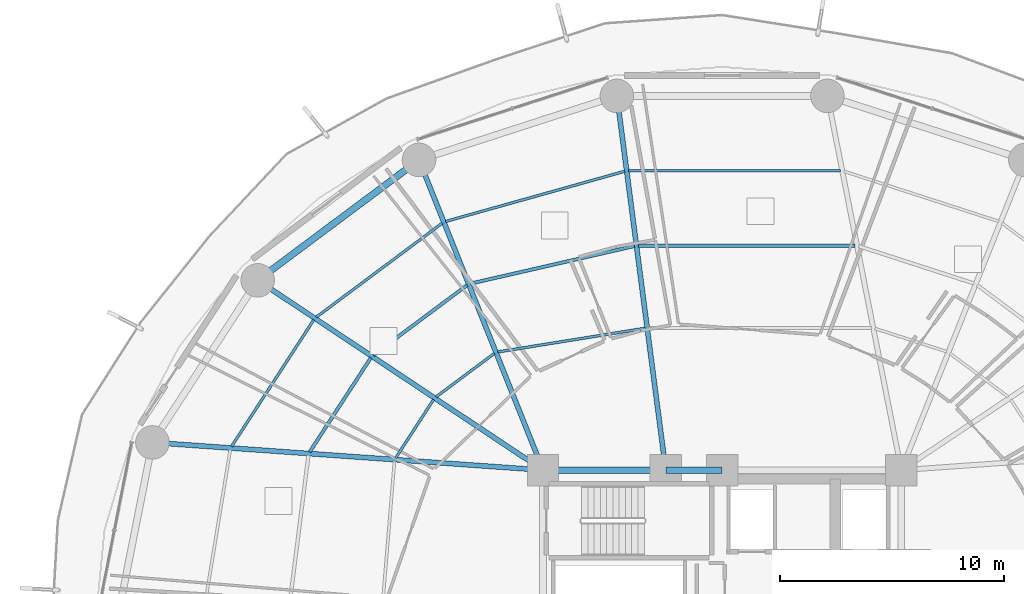
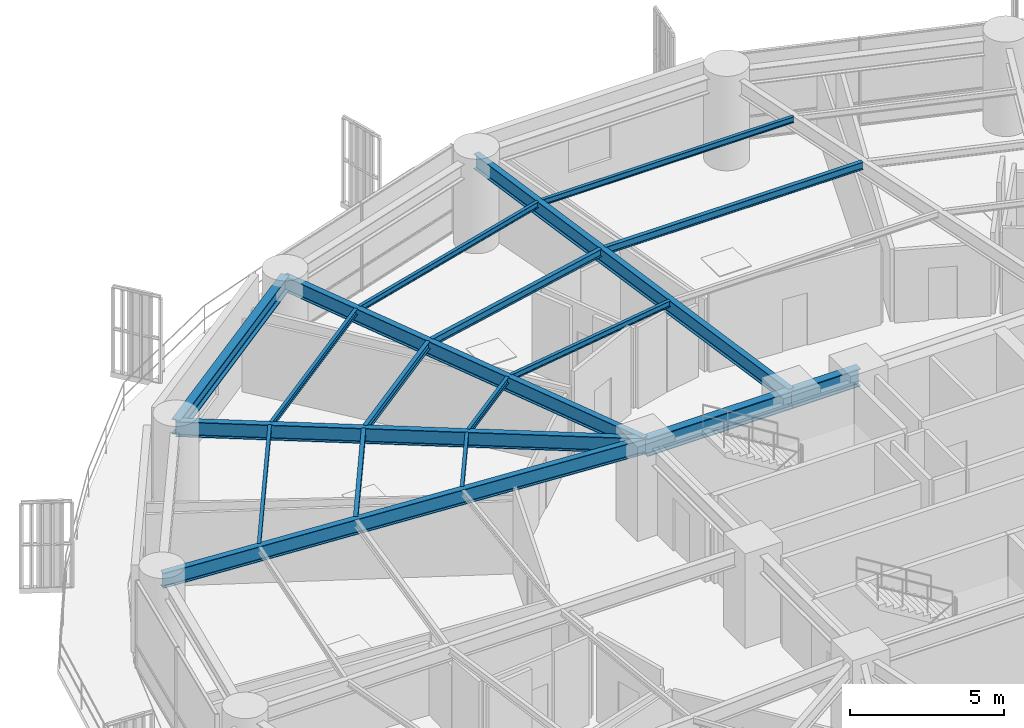
# One storey, part 16 of 32: 18 beams.
"""IFC4 building model written with IfcOpenShell, lengths in metres."""

from ifc_helpers import new_model, si_unit, direction, frame, origin, origin_2d, place, context, subcontext, project, spatial, i_section, extrude, material, material_profile, profile_set, type_object, element, save


model = new_model("IFC4")

# Units and contexts
model_context = context("Model", 3, precision=1e-05, world=origin(), true_north=direction((0.0, 1.0)))
body_context = subcontext(model_context, "Body", "Model", "MODEL_VIEW")
ifc_project = project(units=[si_unit("LENGTHUNIT", "METRE"), si_unit("AREAUNIT", "SQUARE_METRE"), si_unit("VOLUMEUNIT", "CUBIC_METRE"), si_unit("PLANEANGLEUNIT", "RADIAN"), si_unit("MASSUNIT", "GRAM", prefix="KILO")], contexts=[model_context])

# Site, building, storey
site_placement = place(None, origin())
site = spatial("IfcSite", under=ifc_project, at=site_placement, CompositionType="ELEMENT")
building_placement = place(site_placement, origin())
building = spatial("IfcBuilding", under=site, at=building_placement, Name="Kelanora Arch Commons", CompositionType="ELEMENT")
storey_placement = place(building_placement, frame((0.0, 0.0, 60.0)))
storey = spatial("IfcBuildingStorey", under=building, at=storey_placement, Name="L15", CompositionType="ELEMENT", Elevation=60.0)

# Beams
ifc_material = material(Name="Steel S355", Category="steel")
ifc_material_profile_1 = material_profile(ifc_material, i_section(OverallWidth=0.300048828125, OverallDepth=0.699951171875, WebThickness=0.01708984375, FlangeThickness=0.031982421875, FilletRadius=0.027099609375, at=origin_2d()), Name="HEB700")
ifc_profile_set_1 = profile_set([ifc_material_profile_1], Name="Steel S355")
beam_type_1 = type_object("IfcBeamType", Name="BM-CORE-HDR", PredefinedType="BEAM", material=ifc_profile_set_1)
beam_1_placement = place(storey_placement, frame((74.0, 65.0, 3.139892578125), z_axis=(-1.0, 0.0, 0.0), x_axis=(0.0, -1.0, 0.0)))
element("IfcBeam", 1, at=beam_1_placement, inside=storey, type_object=beam_type_1, Name="Core Header Beam 06 L15", PredefinedType="BEAM", context=body_context, shape_type="SweptSolid", body=[
    extrude(i_section(OverallWidth=0.300048828125, OverallDepth=0.699951171875, WebThickness=0.01708984375, FlangeThickness=0.031982421875, FilletRadius=0.027099609375, at=origin_2d()), origin(), (0.0, 0.0, 1.0), 2.52001953125),
])
beam_2_placement = place(storey_placement, frame((71.47998046875, 65.0, 3.139892578125), z_axis=(-1.0, 0.0, 0.0), x_axis=(0.0, -1.0, 0.0)))
element("IfcBeam", 2, at=beam_2_placement, inside=storey, type_object=beam_type_1, Name="Core Header Beam 07 L15", PredefinedType="BEAM", context=body_context, shape_type="SweptSolid", body=[
    extrude(i_section(OverallWidth=0.300048828125, OverallDepth=0.699951171875, WebThickness=0.01708984375, FlangeThickness=0.031982421875, FilletRadius=0.027099609375, at=origin_2d()), origin(), (0.0, 0.0, 1.0), 5.47998046875),
])
ifc_material_profile_2 = material_profile(ifc_material, i_section(OverallWidth=0.14990234375, OverallDepth=0.300048828125, WebThickness=0.007080078125, FlangeThickness=0.0107421875, FilletRadius=0.014892578125, at=origin_2d()), Name="IPE300")
ifc_profile_set_2 = profile_set([ifc_material_profile_2], Name="Steel S355")
beam_type_2 = type_object("IfcBeamType", Name="BM-JST-01", PredefinedType="JOIST", material=ifc_profile_set_2)
beam_3_placement = place(storey_placement, frame((79.936279296875, 75.028564453125, 3.340087890625), z_axis=(-1.0, 0.0, 0.0), x_axis=(0.0, -1.0, 0.0)))
element("IfcBeam", 3, at=beam_3_placement, inside=storey, type_object=beam_type_2, Name="Secondary Chord Joist BJB-08 L15", PredefinedType="JOIST", context=body_context, shape_type="SweptSolid", body=[
    extrude(i_section(OverallWidth=0.14990234375, OverallDepth=0.300048828125, WebThickness=0.007080078125, FlangeThickness=0.0107421875, FilletRadius=0.014892578125, at=origin_2d()), origin(), (0.0, 0.0, 1.0), 9.6806640625),
])
beam_4_placement = place(storey_placement, frame((70.087646484375, 75.009521484375, 3.340087890625), z_axis=(-0.974770159254, -0.223210968877, 0.0), x_axis=(0.223210968877, -0.974770159254, 0.0)))
element("IfcBeam", 4, at=beam_4_placement, inside=storey, type_object=beam_type_2, Name="Secondary Chord Joist BJB-10 L15", PredefinedType="JOIST", context=body_context, shape_type="SweptSolid", body=[
    extrude(i_section(OverallWidth=0.14990234375, OverallDepth=0.300048828125, WebThickness=0.007080078125, FlangeThickness=0.0107421875, FilletRadius=0.014892578125, at=origin_2d()), origin(), (0.0, 0.0, 1.0), 7.5185546875),
])
beam_5_placement = place(storey_placement, frame((62.60791015625, 73.261474609375, 3.340087890625), z_axis=(-0.801478251559, -0.598023922831, 0.0), x_axis=(0.598023922831, -0.801478251559, 0.0)))
element("IfcBeam", 5, at=beam_5_placement, inside=storey, type_object=beam_type_2, Name="Secondary Chord Joist BJB-12 L15", PredefinedType="JOIST", context=body_context, shape_type="SweptSolid", body=[
    extrude(i_section(OverallWidth=0.14990234375, OverallDepth=0.300048828125, WebThickness=0.007080078125, FlangeThickness=0.0107421875, FilletRadius=0.014892578125, at=origin_2d()), origin(), (0.0, 0.0, 1.0), 5.223388671875),
])
beam_6_placement = place(storey_placement, frame((58.306884765625, 70.015625, 3.340087890625), z_axis=(-0.544551588245, -0.838727350061, 0.0), x_axis=(0.838727350061, -0.544551588245, 0.0)))
element("IfcBeam", 6, at=beam_6_placement, inside=storey, type_object=beam_type_2, Name="Secondary Chord Joist BJB-14 L15", PredefinedType="JOIST", context=body_context, shape_type="SweptSolid", body=[
    extrude(i_section(OverallWidth=0.14990234375, OverallDepth=0.300048828125, WebThickness=0.007080078125, FlangeThickness=0.0107421875, FilletRadius=0.014892578125, at=origin_2d()), origin(), (0.0, 0.0, 1.0), 5.010986328125),
])
ifc_material_profile_3 = material_profile(ifc_material, i_section(OverallWidth=0.1201171875, OverallDepth=0.239990234375, WebThickness=0.006103515625, FlangeThickness=0.009765625, FilletRadius=0.014892578125, at=origin_2d()), Name="IPE240")
ifc_profile_set_3 = profile_set([ifc_material_profile_3], Name="Steel S355")
beam_type_3 = type_object("IfcBeamType", Name="BM-JST-02", PredefinedType="JOIST", material=ifc_profile_set_3)
beam_7_placement = place(storey_placement, frame((79.27685546875, 78.371337890625, 3.3701171875), z_axis=(-1.0, 0.0, 0.0), x_axis=(0.0, -1.0, 0.0)))
element("IfcBeam", 7, at=beam_7_placement, inside=storey, type_object=beam_type_3, Name="Secondary Chord Joist BJC-08 L15", PredefinedType="JOIST", context=body_context, shape_type="SweptSolid", body=[
    extrude(i_section(OverallWidth=0.1201171875, OverallDepth=0.239990234375, WebThickness=0.006103515625, FlangeThickness=0.009765625, FilletRadius=0.014892578125, at=origin_2d()), origin(), (0.0, 0.0, 1.0), 9.457763671875),
])
beam_8_placement = place(storey_placement, frame((70.56689453125, 71.337890625, 3.3701171875), z_axis=(-0.987306715654, -0.158825215959, 0.0), x_axis=(0.158825215959, -0.987306715654, 0.0)))
element("IfcBeam", 8, at=beam_8_placement, inside=storey, type_object=beam_type_3, Name="Secondary Chord Joist BJA-10 L15", PredefinedType="JOIST", context=body_context, shape_type="SweptSolid", body=[
    extrude(i_section(OverallWidth=0.1201171875, OverallDepth=0.239990234375, WebThickness=0.006103515625, FlangeThickness=0.009765625, FilletRadius=0.014892578125, at=origin_2d()), origin(), (0.0, 0.0, 1.0), 6.6728515625),
])
beam_9_placement = place(storey_placement, frame((69.652099609375, 78.348388671875, 3.3701171875), z_axis=(-0.962914880978, -0.269805359456, 0.0), x_axis=(0.269805359456, -0.962914880978, 0.0)))
element("IfcBeam", 9, at=beam_9_placement, inside=storey, type_object=beam_type_3, Name="Secondary Chord Joist BJC-10 L15", PredefinedType="JOIST", context=body_context, shape_type="SweptSolid", body=[
    extrude(i_section(OverallWidth=0.1201171875, OverallDepth=0.239990234375, WebThickness=0.006103515625, FlangeThickness=0.009765625, FilletRadius=0.014892578125, at=origin_2d()), origin(), (0.0, 0.0, 1.0), 8.310302734375),
])
beam_10_placement = place(storey_placement, frame((63.82666015625, 70.213623046875, 3.3701171875), z_axis=(-0.801513822608, -0.59797624716, 0.0), x_axis=(0.59797624716, -0.801513822608, 0.0)))
element("IfcBeam", 10, at=beam_10_placement, inside=storey, type_object=beam_type_3, Name="Secondary Chord Joist BJA-12 L15", PredefinedType="JOIST", context=body_context, shape_type="SweptSolid", body=[
    extrude(i_section(OverallWidth=0.1201171875, OverallDepth=0.239990234375, WebThickness=0.006103515625, FlangeThickness=0.009765625, FilletRadius=0.014892578125, at=origin_2d()), origin(), (0.0, 0.0, 1.0), 3.245849609375),
])
beam_11_placement = place(storey_placement, frame((61.5, 76.0322265625, 3.3701171875), z_axis=(-0.80149131963, -0.598006408459, 0.0), x_axis=(0.598006408459, -0.80149131963, 0.0)))
element("IfcBeam", 11, at=beam_11_placement, inside=storey, type_object=beam_type_3, Name="Secondary Chord Joist BJC-12 L15", PredefinedType="JOIST", context=body_context, shape_type="SweptSolid", body=[
    extrude(i_section(OverallWidth=0.1201171875, OverallDepth=0.239990234375, WebThickness=0.006103515625, FlangeThickness=0.009765625, FilletRadius=0.014892578125, at=origin_2d()), origin(), (0.0, 0.0, 1.0), 7.021240234375),
])
beam_12_placement = place(storey_placement, frame((61.11083984375, 68.150390625, 3.3701171875), z_axis=(-0.544591105858, -0.838701691557, 0.0), x_axis=(0.838701691557, -0.544591105858, 0.0)))
element("IfcBeam", 12, at=beam_12_placement, inside=storey, type_object=beam_type_3, Name="Secondary Chord Joist BJA-14 L15", PredefinedType="JOIST", context=body_context, shape_type="SweptSolid", body=[
    extrude(i_section(OverallWidth=0.1201171875, OverallDepth=0.239990234375, WebThickness=0.006103515625, FlangeThickness=0.009765625, FilletRadius=0.014892578125, at=origin_2d()), origin(), (0.0, 0.0, 1.0), 3.111328125),
])
beam_13_placement = place(storey_placement, frame((55.758056640625, 71.711181640625, 3.3701171875), z_axis=(-0.544550165372, -0.838728273873, 0.0), x_axis=(0.838728273873, -0.544550165372, 0.0)))
element("IfcBeam", 13, at=beam_13_placement, inside=storey, type_object=beam_type_3, Name="Secondary Chord Joist BJC-14 L15", PredefinedType="JOIST", context=body_context, shape_type="SweptSolid", body=[
    extrude(i_section(OverallWidth=0.1201171875, OverallDepth=0.239990234375, WebThickness=0.006103515625, FlangeThickness=0.009765625, FilletRadius=0.014892578125, at=origin_2d()), origin(), (0.0, 0.0, 1.0), 6.738037109375),
])
ifc_material_profile_4 = material_profile(ifc_material, i_section(OverallWidth=0.219970703125, OverallDepth=0.60009765625, WebThickness=0.011962890625, FlangeThickness=0.01904296875, FilletRadius=0.02392578125, at=origin_2d()), Name="IPE600")
ifc_profile_set_4 = profile_set([ifc_material_profile_4], Name="Steel S355")
beam_type_4 = type_object("IfcBeamType", Name="BM-RAD-Z1", PredefinedType="BEAM", material=ifc_profile_set_4)
beam_14_placement = place(storey_placement, frame((71.47998046875, 65.0, 3.18994140625), z_axis=(-0.129471691865, 0.991583118556, 0.0), x_axis=(-0.991583118556, -0.129471691865, 0.0)))
element("IfcBeam", 14, at=beam_14_placement, inside=storey, type_object=beam_type_4, Name="Radial Floor Girder BR-10 L15", PredefinedType="BEAM", context=body_context, shape_type="SweptSolid", body=[
    extrude(i_section(OverallWidth=0.219970703125, OverallDepth=0.60009765625, WebThickness=0.011962890625, FlangeThickness=0.01904296875, FilletRadius=0.02392578125, at=origin_2d()), origin(), (0.0, 0.0, 1.0), 16.85595703125),
])
beam_15_placement = place(storey_placement, frame((66.0, 65.0, 3.18994140625), z_axis=(-0.371300398117, 0.928512797089, 0.0), x_axis=(-0.928512797089, -0.371300398117, 0.0)))
element("IfcBeam", 15, at=beam_15_placement, inside=storey, type_object=beam_type_4, Name="Radial Floor Girder BR-12 L15", PredefinedType="BEAM", context=body_context, shape_type="SweptSolid", body=[
    extrude(i_section(OverallWidth=0.219970703125, OverallDepth=0.60009765625, WebThickness=0.011962890625, FlangeThickness=0.01904296875, FilletRadius=0.02392578125, at=origin_2d()), origin(), (0.0, 0.0, 1.0), 14.920654296875),
])
beam_16_placement = place(storey_placement, frame((66.0, 65.0, 3.18994140625), z_axis=(-0.832592187754, 0.553886494591, 0.0), x_axis=(-0.553886494591, -0.832592187754, 0.0)))
element("IfcBeam", 16, at=beam_16_placement, inside=storey, type_object=beam_type_4, Name="Radial Floor Girder BR-14 L15", PredefinedType="BEAM", context=body_context, shape_type="SweptSolid", body=[
    extrude(i_section(OverallWidth=0.219970703125, OverallDepth=0.60009765625, WebThickness=0.011962890625, FlangeThickness=0.01904296875, FilletRadius=0.02392578125, at=origin_2d()), origin(), (0.0, 0.0, 1.0), 15.306884765625),
])
beam_17_placement = place(storey_placement, frame((66.0, 65.0, 3.18994140625), z_axis=(-0.997500683472, 0.070656821848, 0.0), x_axis=(-0.070656821848, -0.997500683472, 0.0)))
element("IfcBeam", 17, at=beam_17_placement, inside=storey, type_object=beam_type_4, Name="Radial Floor Girder BR-16 L15", PredefinedType="BEAM", context=body_context, shape_type="SweptSolid", body=[
    extrude(i_section(OverallWidth=0.219970703125, OverallDepth=0.60009765625, WebThickness=0.011962890625, FlangeThickness=0.01904296875, FilletRadius=0.02392578125, at=origin_2d()), origin(), (0.0, 0.0, 1.0), 17.49072265625),
])
ifc_material_profile_5 = material_profile(ifc_material, i_section(OverallWidth=0.300048828125, OverallDepth=0.60009765625, WebThickness=0.015380859375, FlangeThickness=0.030029296875, FilletRadius=0.027099609375, at=origin_2d()), Name="HEB600")
ifc_profile_set_5 = profile_set([ifc_material_profile_5], Name="Steel S355")
beam_type_5 = type_object("IfcBeamType", Name="BM-SPN-Z1", PredefinedType="SPANDREL", material=ifc_profile_set_5)
beam_18_placement = place(storey_placement, frame((60.4599609375, 78.85400390625, 3.18994140625), z_axis=(-0.801467504127, -0.598038326388, 0.0), x_axis=(0.598038326388, -0.801467504127, 0.0)))
element("IfcBeam", 18, at=beam_18_placement, inside=storey, type_object=beam_type_5, Name="Perimeter Spandrel Beam BS-12 L15", PredefinedType="SPANDREL", context=body_context, shape_type="SweptSolid", body=[
    extrude(i_section(OverallWidth=0.300048828125, OverallDepth=0.60009765625, WebThickness=0.015380859375, FlangeThickness=0.030029296875, FilletRadius=0.027099609375, at=origin_2d()), origin(), (0.0, 0.0, 1.0), 8.989013671875),
])

save(model, "model.ifc")
